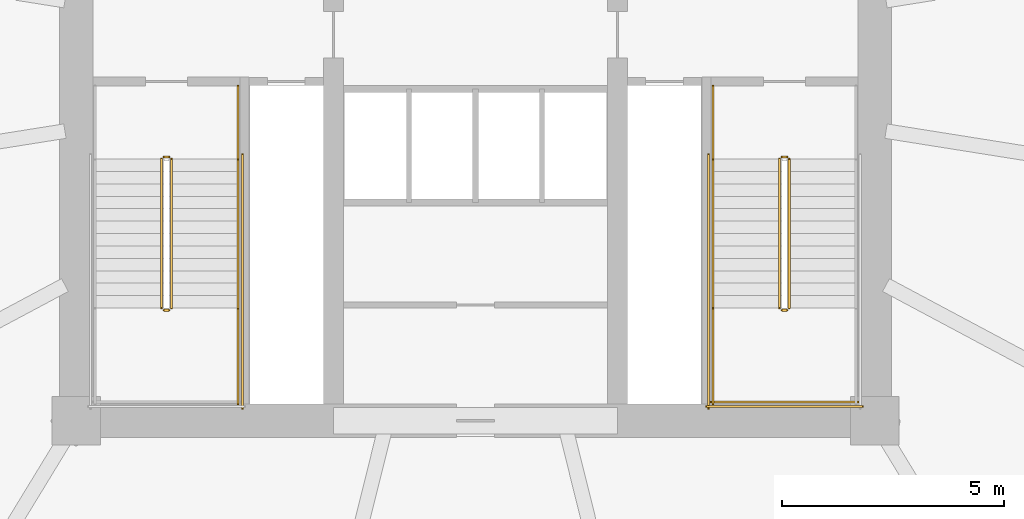
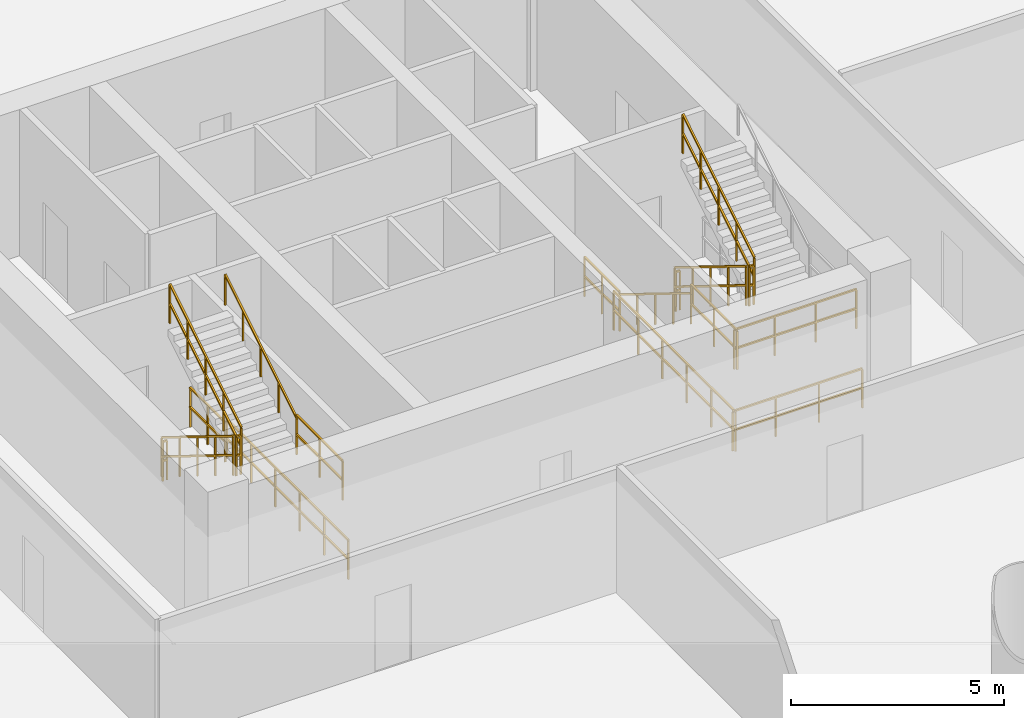
# One storey, part 29 of 36: 18 railings.
"""IFC4 building model written with IfcOpenShell, lengths in metres."""

from ifc_helpers import new_model, si_unit, direction, frame, origin, origin_2d, place, context, subcontext, project, spatial, rectangle, extrude, material, type_object, element, save


model = new_model("IFC4")

# Units and contexts
model_context = context("Model", 3, precision=1e-05, world=origin(), true_north=direction((-0.2419218956, 0.970295726276)))
body_context = subcontext(model_context, "Body", "Model", "MODEL_VIEW")
ifc_project = project(units=[si_unit("LENGTHUNIT", "METRE"), si_unit("AREAUNIT", "SQUARE_METRE"), si_unit("VOLUMEUNIT", "CUBIC_METRE"), si_unit("PLANEANGLEUNIT", "RADIAN"), si_unit("MASSUNIT", "GRAM", prefix="KILO")], contexts=[model_context])

# Site, building, storey
site_placement = place(None, origin())
site = spatial("IfcSite", under=ifc_project, at=site_placement, CompositionType="ELEMENT")
building_placement = place(site_placement, origin())
building = spatial("IfcBuilding", under=site, at=building_placement, Name="Cobrevalo Terracotta Tower", CompositionType="ELEMENT")
storey_placement = place(building_placement, frame((0.0, 0.0, 5.39990234375)))
storey = spatial("IfcBuildingStorey", under=building, at=storey_placement, Name="L01", CompositionType="ELEMENT", Elevation=5.39990234375)

# Railings
ifc_material_1 = material(Name="Brushed stainless steel", Category="steel")
railing_type_1 = type_object("IfcRailingType", Name="Stainless Steel Stair Handrail 900", PredefinedType="HANDRAIL", material=ifc_material_1)
railing_1_placement = place(storey_placement, frame((32.64501953125, 21.340087890625, 2.423095703125)))
element("IfcRailing", 1, at=railing_1_placement, inside=storey, type_object=railing_type_1, Name="L01 ST-1 stair handrail 2", PredefinedType="HANDRAIL", context=body_context, shape_type="SweptSolid", body=[
    extrude(rectangle(XDim=0.048095703125, YDim=0.048095703125, at=origin_2d()), frame((0.0, 0.0, 0.8759765625), z_axis=(0.0, 0.850606129759, 0.525803396734), x_axis=(-1.0, 0.0, 0.0)), (0.0, 0.0, 1.0), 3.949951171875),
    extrude(rectangle(XDim=0.0419921875, YDim=0.0419921875, at=origin_2d()), origin(), (0.0, 0.0, 1.0), 0.851806640625),
    extrude(rectangle(XDim=0.0419921875, YDim=0.0419921875, at=origin_2d()), frame((0.0, 0.83984375, 0.519287109375)), (0.0, 0.0, 1.0), 0.851806640625),
    extrude(rectangle(XDim=0.0419921875, YDim=0.0419921875, at=origin_2d()), frame((0.0, 1.679931640625, 1.03857421875)), (0.0, 0.0, 1.0), 0.851806640625),
    extrude(rectangle(XDim=0.0419921875, YDim=0.0419921875, at=origin_2d()), frame((0.0, 2.52001953125, 1.5576171875)), (0.0, 0.0, 1.0), 0.851806640625),
    extrude(rectangle(XDim=0.0419921875, YDim=0.0419921875, at=origin_2d()), frame((0.0, 3.35986328125, 2.076904296875)), (0.0, 0.0, 1.0), 0.851806640625),
])
railing_2_placement = place(storey_placement, frame((43.35498046875, 24.699951171875, 0.173095703125)))
element("IfcRailing", 2, at=railing_2_placement, inside=storey, type_object=railing_type_1, Name="L01 ST-2 stair handrail 1", PredefinedType="HANDRAIL", context=body_context, shape_type="SweptSolid", body=[
    extrude(rectangle(XDim=0.048095703125, YDim=0.048095703125, at=origin_2d()), frame((0.0, 0.0, 0.8759765625), z_axis=(0.0, -0.850606129759, 0.525803396734), x_axis=(1.0, 0.0, 0.0)), (0.0, 0.0, 1.0), 3.949951171875),
    extrude(rectangle(XDim=0.0419921875, YDim=0.0419921875, at=origin_2d()), origin(), (0.0, 0.0, 1.0), 0.851806640625),
    extrude(rectangle(XDim=0.0419921875, YDim=0.0419921875, at=origin_2d()), frame((0.0, -0.83984375, 0.519287109375)), (0.0, 0.0, 1.0), 0.851806640625),
    extrude(rectangle(XDim=0.0419921875, YDim=0.0419921875, at=origin_2d()), frame((0.0, -1.679931640625, 1.03857421875)), (0.0, 0.0, 1.0), 0.851806640625),
    extrude(rectangle(XDim=0.0419921875, YDim=0.0419921875, at=origin_2d()), frame((0.0, -2.52001953125, 1.5576171875)), (0.0, 0.0, 1.0), 0.851806640625),
    extrude(rectangle(XDim=0.0419921875, YDim=0.0419921875, at=origin_2d()), frame((0.0, -3.35986328125, 2.076904296875)), (0.0, 0.0, 1.0), 0.851806640625),
])
ifc_material_2 = material(Name="Painted galvanized steel", Category="steel")
railing_type_2 = type_object("IfcRailingType", Name="Stair Well Guard Balustrade 1150", PredefinedType="GUARDRAIL", material=ifc_material_2)
railing_3_placement = place(storey_placement, frame((30.925048828125, 24.699951171875, 0.173095703125)))
element("IfcRailing", 3, at=railing_3_placement, inside=storey, type_object=railing_type_2, Name="L01 ST-1 stair guard 1", PredefinedType="GUARDRAIL", context=body_context, shape_type="SweptSolid", body=[
    extrude(rectangle(XDim=0.048095703125, YDim=0.048095703125, at=origin_2d()), frame((0.0, 0.0, 1.1259765625), z_axis=(0.0, -0.850606129759, 0.525803396734), x_axis=(1.0, 0.0, 0.0)), (0.0, 0.0, 1.0), 3.949951171875),
    extrude(rectangle(XDim=0.048095703125, YDim=0.048095703125, at=origin_2d()), frame((0.0, 0.0, 0.574951171875), z_axis=(0.0, -0.850606129759, 0.525803396734), x_axis=(1.0, 0.0, 0.0)), (0.0, 0.0, 1.0), 3.949951171875),
    extrude(rectangle(XDim=0.0419921875, YDim=0.0419921875, at=origin_2d()), origin(), (0.0, 0.0, 1.0), 1.101806640625),
    extrude(rectangle(XDim=0.0419921875, YDim=0.0419921875, at=origin_2d()), frame((0.0, -0.83984375, 0.519287109375)), (0.0, 0.0, 1.0), 1.101806640625),
    extrude(rectangle(XDim=0.0419921875, YDim=0.0419921875, at=origin_2d()), frame((0.0, -1.679931640625, 1.03857421875)), (0.0, 0.0, 1.0), 1.101806640625),
    extrude(rectangle(XDim=0.0419921875, YDim=0.0419921875, at=origin_2d()), frame((0.0, -2.52001953125, 1.5576171875)), (0.0, 0.0, 1.0), 1.101806640625),
    extrude(rectangle(XDim=0.0419921875, YDim=0.0419921875, at=origin_2d()), frame((0.0, -3.35986328125, 2.076904296875)), (0.0, 0.0, 1.0), 1.101806640625),
])
railing_4_placement = place(storey_placement, frame((30.97509765625, 21.2900390625, 2.25)))
element("IfcRailing", 4, at=railing_4_placement, inside=storey, type_object=railing_type_2, Name="L01 ST-1 stair guard 2", PredefinedType="GUARDRAIL", context=body_context, shape_type="SweptSolid", body=[
    extrude(rectangle(XDim=0.048095703125, YDim=0.048095703125, at=origin_2d()), frame((0.0, 0.0, 1.1259765625), z_axis=(1.0, 0.0, 0.0), x_axis=(0.0, 1.0, 0.0)), (0.0, 0.0, 1.0), 0.119873046875),
    extrude(rectangle(XDim=0.048095703125, YDim=0.048095703125, at=origin_2d()), frame((0.0, 0.0, 0.574951171875), z_axis=(1.0, 0.0, 0.0), x_axis=(0.0, 1.0, 0.0)), (0.0, 0.0, 1.0), 0.119873046875),
    extrude(rectangle(XDim=0.0419921875, YDim=0.0419921875, at=origin_2d()), origin(), (0.0, 0.0, 1.0), 1.101806640625),
    extrude(rectangle(XDim=0.0419921875, YDim=0.0419921875, at=origin_2d()), frame((0.119873046875, 0.0, 0.0)), (0.0, 0.0, 1.0), 1.101806640625),
])
railing_5_placement = place(storey_placement, frame((32.64501953125, 21.340087890625, 2.25)))
element("IfcRailing", 5, at=railing_5_placement, inside=storey, type_object=railing_type_2, Name="L01 ST-1 stair guard 4", PredefinedType="GUARDRAIL", context=body_context, shape_type="SweptSolid", body=[
    extrude(rectangle(XDim=0.048095703125, YDim=0.048095703125, at=origin_2d()), frame((0.0, 0.0, 1.1259765625), z_axis=(0.0, -1.0, 0.0), x_axis=(1.0, 0.0, 0.0)), (0.0, 0.0, 1.0), 2.1650390625),
    extrude(rectangle(XDim=0.048095703125, YDim=0.048095703125, at=origin_2d()), frame((0.0, 0.0, 0.574951171875), z_axis=(0.0, -1.0, 0.0), x_axis=(1.0, 0.0, 0.0)), (0.0, 0.0, 1.0), 2.1650390625),
    extrude(rectangle(XDim=0.0419921875, YDim=0.0419921875, at=origin_2d()), origin(), (0.0, 0.0, 1.0), 1.101806640625),
    extrude(rectangle(XDim=0.0419921875, YDim=0.0419921875, at=origin_2d()), frame((0.0, -1.08251953125, 0.0)), (0.0, 0.0, 1.0), 1.101806640625),
    extrude(rectangle(XDim=0.0419921875, YDim=0.0419921875, at=origin_2d()), frame((0.0, -2.1650390625, 0.0)), (0.0, 0.0, 1.0), 1.101806640625),
])
railing_6_placement = place(storey_placement, frame((31.14501953125, 21.340087890625, 2.423095703125)))
element("IfcRailing", 6, at=railing_6_placement, inside=storey, type_object=railing_type_2, Name="L01 ST-1 stair guard 6", PredefinedType="GUARDRAIL", context=body_context, shape_type="SweptSolid", body=[
    extrude(rectangle(XDim=0.048095703125, YDim=0.048095703125, at=origin_2d()), frame((0.0, 0.0, 1.1259765625), z_axis=(0.0, 0.850606129759, 0.525803396734), x_axis=(-1.0, 0.0, 0.0)), (0.0, 0.0, 1.0), 3.949951171875),
    extrude(rectangle(XDim=0.048095703125, YDim=0.048095703125, at=origin_2d()), frame((0.0, 0.0, 0.574951171875), z_axis=(0.0, 0.850606129759, 0.525803396734), x_axis=(-1.0, 0.0, 0.0)), (0.0, 0.0, 1.0), 3.949951171875),
    extrude(rectangle(XDim=0.0419921875, YDim=0.0419921875, at=origin_2d()), origin(), (0.0, 0.0, 1.0), 1.101806640625),
    extrude(rectangle(XDim=0.0419921875, YDim=0.0419921875, at=origin_2d()), frame((0.0, 0.83984375, 0.519287109375)), (0.0, 0.0, 1.0), 1.101806640625),
    extrude(rectangle(XDim=0.0419921875, YDim=0.0419921875, at=origin_2d()), frame((0.0, 1.679931640625, 1.03857421875)), (0.0, 0.0, 1.0), 1.101806640625),
    extrude(rectangle(XDim=0.0419921875, YDim=0.0419921875, at=origin_2d()), frame((0.0, 2.52001953125, 1.5576171875)), (0.0, 0.0, 1.0), 1.101806640625),
    extrude(rectangle(XDim=0.0419921875, YDim=0.0419921875, at=origin_2d()), frame((0.0, 3.35986328125, 2.076904296875)), (0.0, 0.0, 1.0), 1.101806640625),
])
railing_7_placement = place(storey_placement, frame((30.97509765625, 24.75, 0.0)))
element("IfcRailing", 7, at=railing_7_placement, inside=storey, type_object=railing_type_2, Name="L01 ST-1 stair guard 7", PredefinedType="GUARDRAIL", context=body_context, shape_type="SweptSolid", body=[
    extrude(rectangle(XDim=0.048095703125, YDim=0.048095703125, at=origin_2d()), frame((0.0, 0.0, 1.1259765625), z_axis=(1.0, 0.0, 0.0), x_axis=(0.0, 1.0, 0.0)), (0.0, 0.0, 1.0), 0.119873046875),
    extrude(rectangle(XDim=0.048095703125, YDim=0.048095703125, at=origin_2d()), frame((0.0, 0.0, 0.574951171875), z_axis=(1.0, 0.0, 0.0), x_axis=(0.0, 1.0, 0.0)), (0.0, 0.0, 1.0), 0.119873046875),
    extrude(rectangle(XDim=0.0419921875, YDim=0.0419921875, at=origin_2d()), origin(), (0.0, 0.0, 1.0), 1.101806640625),
    extrude(rectangle(XDim=0.0419921875, YDim=0.0419921875, at=origin_2d()), frame((0.119873046875, 0.0, 0.0)), (0.0, 0.0, 1.0), 1.101806640625),
])
railing_8_placement = place(storey_placement, frame((32.64501953125, 26.35009765625, 0.0)))
element("IfcRailing", 8, at=railing_8_placement, inside=storey, type_object=railing_type_2, Name="L01 ST-1 stair guard 9", PredefinedType="GUARDRAIL", context=body_context, shape_type="SweptSolid", body=[
    extrude(rectangle(XDim=0.048095703125, YDim=0.048095703125, at=origin_2d()), frame((0.0, 0.0, 1.1259765625), z_axis=(0.0, -1.0, 0.0), x_axis=(1.0, 0.0, 0.0)), (0.0, 0.0, 1.0), 1.650146484375),
    extrude(rectangle(XDim=0.048095703125, YDim=0.048095703125, at=origin_2d()), frame((0.0, 0.0, 0.574951171875), z_axis=(0.0, -1.0, 0.0), x_axis=(1.0, 0.0, 0.0)), (0.0, 0.0, 1.0), 1.650146484375),
    extrude(rectangle(XDim=0.0419921875, YDim=0.0419921875, at=origin_2d()), origin(), (0.0, 0.0, 1.0), 1.101806640625),
    extrude(rectangle(XDim=0.0419921875, YDim=0.0419921875, at=origin_2d()), frame((0.0, -0.8251953125, 0.0)), (0.0, 0.0, 1.0), 1.101806640625),
    extrude(rectangle(XDim=0.0419921875, YDim=0.0419921875, at=origin_2d()), frame((0.0, -1.650146484375, 0.0)), (0.0, 0.0, 1.0), 1.101806640625),
])
railing_9_placement = place(storey_placement, frame((32.7451171875, 24.800048828125, 0.0)))
element("IfcRailing", 9, at=railing_9_placement, inside=storey, type_object=railing_type_2, Name="L01 ST-1 stair guard 11", PredefinedType="GUARDRAIL", context=body_context, shape_type="SweptSolid", body=[
    extrude(rectangle(XDim=0.048095703125, YDim=0.048095703125, at=origin_2d()), frame((0.0, 0.0, 1.1259765625), z_axis=(0.0, -1.0, 0.0), x_axis=(1.0, 0.0, 0.0)), (0.0, 0.0, 1.0), 5.72509765625),
    extrude(rectangle(XDim=0.048095703125, YDim=0.048095703125, at=origin_2d()), frame((0.0, 0.0, 0.574951171875), z_axis=(0.0, -1.0, 0.0), x_axis=(1.0, 0.0, 0.0)), (0.0, 0.0, 1.0), 5.72509765625),
    extrude(rectangle(XDim=0.0419921875, YDim=0.0419921875, at=origin_2d()), origin(), (0.0, 0.0, 1.0), 1.101806640625),
    extrude(rectangle(XDim=0.0419921875, YDim=0.0419921875, at=origin_2d()), frame((0.0, -1.14501953125, 0.0)), (0.0, 0.0, 1.0), 1.101806640625),
    extrude(rectangle(XDim=0.0419921875, YDim=0.0419921875, at=origin_2d()), frame((0.0, -2.2900390625, 0.0)), (0.0, 0.0, 1.0), 1.101806640625),
    extrude(rectangle(XDim=0.0419921875, YDim=0.0419921875, at=origin_2d()), frame((0.0, -3.43505859375, 0.0)), (0.0, 0.0, 1.0), 1.101806640625),
    extrude(rectangle(XDim=0.0419921875, YDim=0.0419921875, at=origin_2d()), frame((0.0, -4.580078125, 0.0)), (0.0, 0.0, 1.0), 1.101806640625),
    extrude(rectangle(XDim=0.0419921875, YDim=0.0419921875, at=origin_2d()), frame((0.0, -5.72509765625, 0.0)), (0.0, 0.0, 1.0), 1.101806640625),
])
railing_10_placement = place(storey_placement, frame((44.85498046875, 24.699951171875, 0.173095703125)))
element("IfcRailing", 10, at=railing_10_placement, inside=storey, type_object=railing_type_2, Name="L01 ST-2 stair guard 1", PredefinedType="GUARDRAIL", context=body_context, shape_type="SweptSolid", body=[
    extrude(rectangle(XDim=0.048095703125, YDim=0.048095703125, at=origin_2d()), frame((0.0, 0.0, 1.1259765625), z_axis=(0.0, -0.850606129759, 0.525803396734), x_axis=(1.0, 0.0, 0.0)), (0.0, 0.0, 1.0), 3.949951171875),
    extrude(rectangle(XDim=0.048095703125, YDim=0.048095703125, at=origin_2d()), frame((0.0, 0.0, 0.574951171875), z_axis=(0.0, -0.850606129759, 0.525803396734), x_axis=(1.0, 0.0, 0.0)), (0.0, 0.0, 1.0), 3.949951171875),
    extrude(rectangle(XDim=0.0419921875, YDim=0.0419921875, at=origin_2d()), origin(), (0.0, 0.0, 1.0), 1.101806640625),
    extrude(rectangle(XDim=0.0419921875, YDim=0.0419921875, at=origin_2d()), frame((0.0, -0.83984375, 0.519287109375)), (0.0, 0.0, 1.0), 1.101806640625),
    extrude(rectangle(XDim=0.0419921875, YDim=0.0419921875, at=origin_2d()), frame((0.0, -1.679931640625, 1.03857421875)), (0.0, 0.0, 1.0), 1.101806640625),
    extrude(rectangle(XDim=0.0419921875, YDim=0.0419921875, at=origin_2d()), frame((0.0, -2.52001953125, 1.5576171875)), (0.0, 0.0, 1.0), 1.101806640625),
    extrude(rectangle(XDim=0.0419921875, YDim=0.0419921875, at=origin_2d()), frame((0.0, -3.35986328125, 2.076904296875)), (0.0, 0.0, 1.0), 1.101806640625),
])
railing_11_placement = place(storey_placement, frame((44.905029296875, 21.2900390625, 2.25)))
element("IfcRailing", 11, at=railing_11_placement, inside=storey, type_object=railing_type_2, Name="L01 ST-2 stair guard 2", PredefinedType="GUARDRAIL", context=body_context, shape_type="SweptSolid", body=[
    extrude(rectangle(XDim=0.048095703125, YDim=0.048095703125, at=origin_2d()), frame((0.0, 0.0, 1.1259765625), z_axis=(1.0, 0.0, 0.0), x_axis=(0.0, 1.0, 0.0)), (0.0, 0.0, 1.0), 0.119873046875),
    extrude(rectangle(XDim=0.048095703125, YDim=0.048095703125, at=origin_2d()), frame((0.0, 0.0, 0.574951171875), z_axis=(1.0, 0.0, 0.0), x_axis=(0.0, 1.0, 0.0)), (0.0, 0.0, 1.0), 0.119873046875),
    extrude(rectangle(XDim=0.0419921875, YDim=0.0419921875, at=origin_2d()), origin(), (0.0, 0.0, 1.0), 1.101806640625),
    extrude(rectangle(XDim=0.0419921875, YDim=0.0419921875, at=origin_2d()), frame((0.119873046875, 0.0, 0.0)), (0.0, 0.0, 1.0), 1.101806640625),
])
railing_12_placement = place(storey_placement, frame((43.35498046875, 21.340087890625, 2.25)))
element("IfcRailing", 12, at=railing_12_placement, inside=storey, type_object=railing_type_2, Name="L01 ST-2 stair guard 3", PredefinedType="GUARDRAIL", context=body_context, shape_type="SweptSolid", body=[
    extrude(rectangle(XDim=0.048095703125, YDim=0.048095703125, at=origin_2d()), frame((0.0, 0.0, 1.1259765625), z_axis=(0.0, -1.0, 0.0), x_axis=(1.0, 0.0, 0.0)), (0.0, 0.0, 1.0), 2.1650390625),
    extrude(rectangle(XDim=0.048095703125, YDim=0.048095703125, at=origin_2d()), frame((0.0, 0.0, 0.574951171875), z_axis=(0.0, -1.0, 0.0), x_axis=(1.0, 0.0, 0.0)), (0.0, 0.0, 1.0), 2.1650390625),
    extrude(rectangle(XDim=0.0419921875, YDim=0.0419921875, at=origin_2d()), origin(), (0.0, 0.0, 1.0), 1.101806640625),
    extrude(rectangle(XDim=0.0419921875, YDim=0.0419921875, at=origin_2d()), frame((0.0, -1.08251953125, 0.0)), (0.0, 0.0, 1.0), 1.101806640625),
    extrude(rectangle(XDim=0.0419921875, YDim=0.0419921875, at=origin_2d()), frame((0.0, -2.1650390625, 0.0)), (0.0, 0.0, 1.0), 1.101806640625),
])
railing_13_placement = place(storey_placement, frame((43.304931640625, 19.22509765625, 2.25)))
element("IfcRailing", 13, at=railing_13_placement, inside=storey, type_object=railing_type_2, Name="L01 ST-2 stair guard 5", PredefinedType="GUARDRAIL", context=body_context, shape_type="SweptSolid", body=[
    extrude(rectangle(XDim=0.048095703125, YDim=0.048095703125, at=origin_2d()), frame((0.0, 0.0, 1.1259765625), z_axis=(1.0, 0.0, 0.0), x_axis=(0.0, 1.0, 0.0)), (0.0, 0.0, 1.0), 3.320068359375),
    extrude(rectangle(XDim=0.048095703125, YDim=0.048095703125, at=origin_2d()), frame((0.0, 0.0, 0.574951171875), z_axis=(1.0, 0.0, 0.0), x_axis=(0.0, 1.0, 0.0)), (0.0, 0.0, 1.0), 3.320068359375),
    extrude(rectangle(XDim=0.0419921875, YDim=0.0419921875, at=origin_2d()), origin(), (0.0, 0.0, 1.0), 1.101806640625),
    extrude(rectangle(XDim=0.0419921875, YDim=0.0419921875, at=origin_2d()), frame((1.106689453125, 0.0, 0.0)), (0.0, 0.0, 1.0), 1.101806640625),
    extrude(rectangle(XDim=0.0419921875, YDim=0.0419921875, at=origin_2d()), frame((2.21337890625, 0.0, 0.0)), (0.0, 0.0, 1.0), 1.101806640625),
    extrude(rectangle(XDim=0.0419921875, YDim=0.0419921875, at=origin_2d()), frame((3.320068359375, 0.0, 0.0)), (0.0, 0.0, 1.0), 1.101806640625),
])
railing_14_placement = place(storey_placement, frame((45.074951171875, 21.340087890625, 2.423095703125)))
element("IfcRailing", 14, at=railing_14_placement, inside=storey, type_object=railing_type_2, Name="L01 ST-2 stair guard 6", PredefinedType="GUARDRAIL", context=body_context, shape_type="SweptSolid", body=[
    extrude(rectangle(XDim=0.048095703125, YDim=0.048095703125, at=origin_2d()), frame((0.0, 0.0, 1.1259765625), z_axis=(0.0, 0.850606129759, 0.525803396734), x_axis=(-1.0, 0.0, 0.0)), (0.0, 0.0, 1.0), 3.949951171875),
    extrude(rectangle(XDim=0.048095703125, YDim=0.048095703125, at=origin_2d()), frame((0.0, 0.0, 0.574951171875), z_axis=(0.0, 0.850606129759, 0.525803396734), x_axis=(-1.0, 0.0, 0.0)), (0.0, 0.0, 1.0), 3.949951171875),
    extrude(rectangle(XDim=0.0419921875, YDim=0.0419921875, at=origin_2d()), origin(), (0.0, 0.0, 1.0), 1.101806640625),
    extrude(rectangle(XDim=0.0419921875, YDim=0.0419921875, at=origin_2d()), frame((0.0, 0.83984375, 0.519287109375)), (0.0, 0.0, 1.0), 1.101806640625),
    extrude(rectangle(XDim=0.0419921875, YDim=0.0419921875, at=origin_2d()), frame((0.0, 1.679931640625, 1.03857421875)), (0.0, 0.0, 1.0), 1.101806640625),
    extrude(rectangle(XDim=0.0419921875, YDim=0.0419921875, at=origin_2d()), frame((0.0, 2.52001953125, 1.5576171875)), (0.0, 0.0, 1.0), 1.101806640625),
    extrude(rectangle(XDim=0.0419921875, YDim=0.0419921875, at=origin_2d()), frame((0.0, 3.35986328125, 2.076904296875)), (0.0, 0.0, 1.0), 1.101806640625),
])
railing_15_placement = place(storey_placement, frame((44.905029296875, 24.75, 0.0)))
element("IfcRailing", 15, at=railing_15_placement, inside=storey, type_object=railing_type_2, Name="L01 ST-2 stair guard 7", PredefinedType="GUARDRAIL", context=body_context, shape_type="SweptSolid", body=[
    extrude(rectangle(XDim=0.048095703125, YDim=0.048095703125, at=origin_2d()), frame((0.0, 0.0, 1.1259765625), z_axis=(1.0, 0.0, 0.0), x_axis=(0.0, 1.0, 0.0)), (0.0, 0.0, 1.0), 0.119873046875),
    extrude(rectangle(XDim=0.048095703125, YDim=0.048095703125, at=origin_2d()), frame((0.0, 0.0, 0.574951171875), z_axis=(1.0, 0.0, 0.0), x_axis=(0.0, 1.0, 0.0)), (0.0, 0.0, 1.0), 0.119873046875),
    extrude(rectangle(XDim=0.0419921875, YDim=0.0419921875, at=origin_2d()), origin(), (0.0, 0.0, 1.0), 1.101806640625),
    extrude(rectangle(XDim=0.0419921875, YDim=0.0419921875, at=origin_2d()), frame((0.119873046875, 0.0, 0.0)), (0.0, 0.0, 1.0), 1.101806640625),
])
railing_16_placement = place(storey_placement, frame((43.35498046875, 26.35009765625, 0.0)))
element("IfcRailing", 16, at=railing_16_placement, inside=storey, type_object=railing_type_2, Name="L01 ST-2 stair guard 8", PredefinedType="GUARDRAIL", context=body_context, shape_type="SweptSolid", body=[
    extrude(rectangle(XDim=0.048095703125, YDim=0.048095703125, at=origin_2d()), frame((0.0, 0.0, 1.1259765625), z_axis=(0.0, -1.0, 0.0), x_axis=(1.0, 0.0, 0.0)), (0.0, 0.0, 1.0), 1.650146484375),
    extrude(rectangle(XDim=0.048095703125, YDim=0.048095703125, at=origin_2d()), frame((0.0, 0.0, 0.574951171875), z_axis=(0.0, -1.0, 0.0), x_axis=(1.0, 0.0, 0.0)), (0.0, 0.0, 1.0), 1.650146484375),
    extrude(rectangle(XDim=0.0419921875, YDim=0.0419921875, at=origin_2d()), origin(), (0.0, 0.0, 1.0), 1.101806640625),
    extrude(rectangle(XDim=0.0419921875, YDim=0.0419921875, at=origin_2d()), frame((0.0, -0.8251953125, 0.0)), (0.0, 0.0, 1.0), 1.101806640625),
    extrude(rectangle(XDim=0.0419921875, YDim=0.0419921875, at=origin_2d()), frame((0.0, -1.650146484375, 0.0)), (0.0, 0.0, 1.0), 1.101806640625),
])
railing_17_placement = place(storey_placement, frame((43.2548828125, 24.800048828125, 0.0)))
element("IfcRailing", 17, at=railing_17_placement, inside=storey, type_object=railing_type_2, Name="L01 ST-2 stair guard 10", PredefinedType="GUARDRAIL", context=body_context, shape_type="SweptSolid", body=[
    extrude(rectangle(XDim=0.048095703125, YDim=0.048095703125, at=origin_2d()), frame((0.0, 0.0, 1.1259765625), z_axis=(0.0, -1.0, 0.0), x_axis=(1.0, 0.0, 0.0)), (0.0, 0.0, 1.0), 5.72509765625),
    extrude(rectangle(XDim=0.048095703125, YDim=0.048095703125, at=origin_2d()), frame((0.0, 0.0, 0.574951171875), z_axis=(0.0, -1.0, 0.0), x_axis=(1.0, 0.0, 0.0)), (0.0, 0.0, 1.0), 5.72509765625),
    extrude(rectangle(XDim=0.0419921875, YDim=0.0419921875, at=origin_2d()), origin(), (0.0, 0.0, 1.0), 1.101806640625),
    extrude(rectangle(XDim=0.0419921875, YDim=0.0419921875, at=origin_2d()), frame((0.0, -1.14501953125, 0.0)), (0.0, 0.0, 1.0), 1.101806640625),
    extrude(rectangle(XDim=0.0419921875, YDim=0.0419921875, at=origin_2d()), frame((0.0, -2.2900390625, 0.0)), (0.0, 0.0, 1.0), 1.101806640625),
    extrude(rectangle(XDim=0.0419921875, YDim=0.0419921875, at=origin_2d()), frame((0.0, -3.43505859375, 0.0)), (0.0, 0.0, 1.0), 1.101806640625),
    extrude(rectangle(XDim=0.0419921875, YDim=0.0419921875, at=origin_2d()), frame((0.0, -4.580078125, 0.0)), (0.0, 0.0, 1.0), 1.101806640625),
    extrude(rectangle(XDim=0.0419921875, YDim=0.0419921875, at=origin_2d()), frame((0.0, -5.72509765625, 0.0)), (0.0, 0.0, 1.0), 1.101806640625),
])
railing_18_placement = place(storey_placement, frame((43.205078125, 19.125, 0.0)))
element("IfcRailing", 18, at=railing_18_placement, inside=storey, type_object=railing_type_2, Name="L01 ST-2 stair guard 12", PredefinedType="GUARDRAIL", context=body_context, shape_type="SweptSolid", body=[
    extrude(rectangle(XDim=0.048095703125, YDim=0.048095703125, at=origin_2d()), frame((0.0, 0.0, 1.1259765625), z_axis=(1.0, 0.0, 0.0), x_axis=(0.0, 1.0, 0.0)), (0.0, 0.0, 1.0), 3.52001953125),
    extrude(rectangle(XDim=0.048095703125, YDim=0.048095703125, at=origin_2d()), frame((0.0, 0.0, 0.574951171875), z_axis=(1.0, 0.0, 0.0), x_axis=(0.0, 1.0, 0.0)), (0.0, 0.0, 1.0), 3.52001953125),
    extrude(rectangle(XDim=0.0419921875, YDim=0.0419921875, at=origin_2d()), origin(), (0.0, 0.0, 1.0), 1.101806640625),
    extrude(rectangle(XDim=0.0419921875, YDim=0.0419921875, at=origin_2d()), frame((1.17333984375, 0.0, 0.0)), (0.0, 0.0, 1.0), 1.101806640625),
    extrude(rectangle(XDim=0.0419921875, YDim=0.0419921875, at=origin_2d()), frame((2.3466796875, 0.0, 0.0)), (0.0, 0.0, 1.0), 1.101806640625),
    extrude(rectangle(XDim=0.0419921875, YDim=0.0419921875, at=origin_2d()), frame((3.52001953125, 0.0, 0.0)), (0.0, 0.0, 1.0), 1.101806640625),
])

save(model, "model.ifc")
